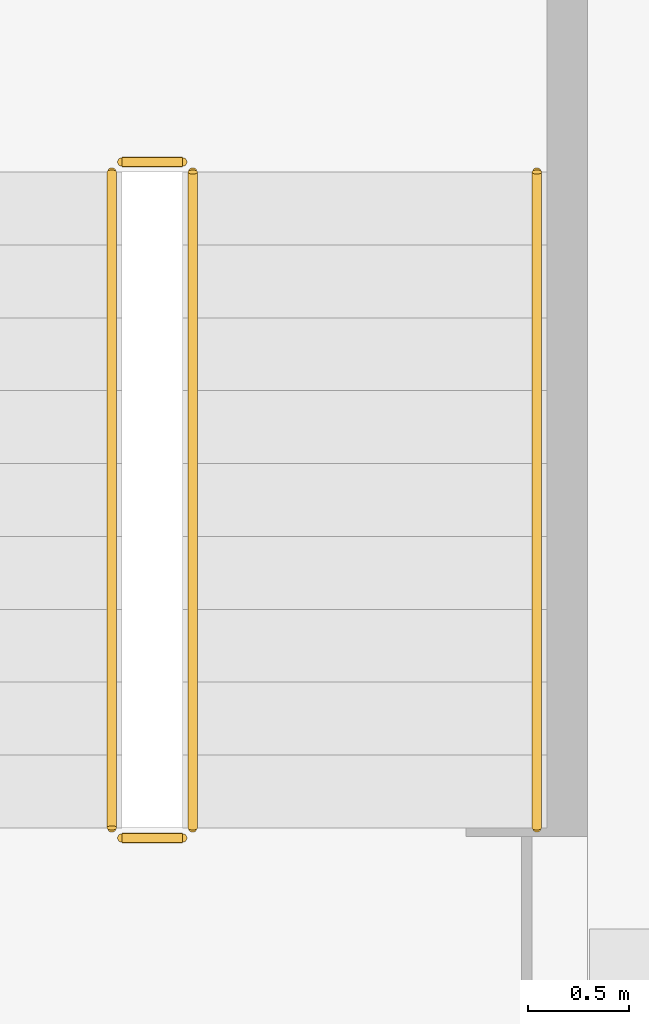
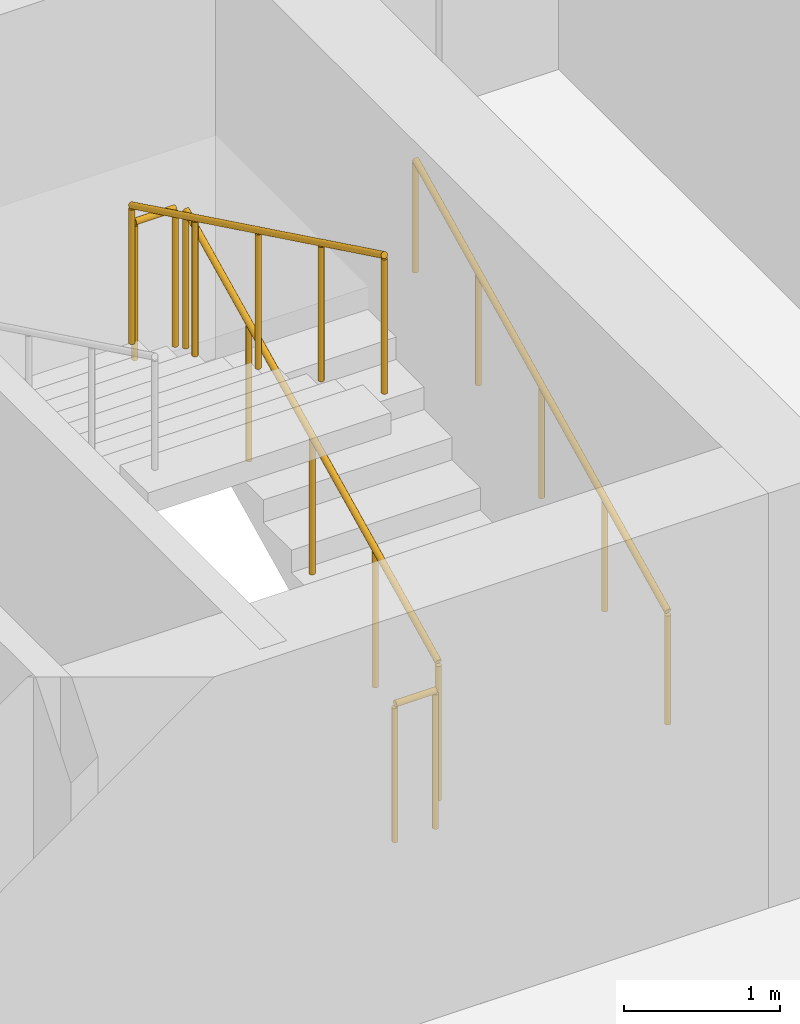
# One storey, part 24 of 28: 5 railings.
"""IFC4 building model written with IfcOpenShell, lengths in metres."""

from ifc_helpers import new_model, si_unit, direction, frame, origin, origin_2d, place, context, subcontext, project, spatial, circle, extrude, material, type_object, element, save


model = new_model("IFC4")

# Units and contexts
model_context = context("Model", 3, precision=1e-05, world=origin(), true_north=direction((0.0, 1.0)))
body_context = subcontext(model_context, "Body", "Model", "MODEL_VIEW")
ifc_project = project(units=[si_unit("LENGTHUNIT", "METRE"), si_unit("AREAUNIT", "SQUARE_METRE"), si_unit("VOLUMEUNIT", "CUBIC_METRE"), si_unit("PLANEANGLEUNIT", "RADIAN"), si_unit("MASSUNIT", "GRAM", prefix="KILO")], contexts=[model_context])

# Site, building, storey
site_placement = place(None, origin())
site = spatial("IfcSite", under=ifc_project, at=site_placement, CompositionType="ELEMENT")
building_placement = place(site_placement, origin())
building = spatial("IfcBuilding", under=site, at=building_placement, Name="Cobrizo Arcos Hotel Tower", CompositionType="ELEMENT")
storey_placement = place(building_placement, frame((0.0, 0.0, 39.0)))
storey = spatial("IfcBuildingStorey", under=building, at=storey_placement, Name="L07", CompositionType="ELEMENT", Elevation=39.0)

# Railings
ifc_material = material(Name="Stainless steel railing", Category="steel")
railing_type_1 = type_object("IfcRailingType", Name="Stair guard 1100", PredefinedType="GUARDRAIL", material=ifc_material)
railing_1_placement = place(storey_placement, frame((-17.75, -8.89990234375, 0.175048828125)))
element("IfcRailing", 1, at=railing_1_placement, inside=storey, type_object=railing_type_1, Name="L07 ST-W stair guard 1", PredefinedType="GUARDRAIL", context=body_context, shape_type="SweptSolid", body=[
    extrude(circle(Radius=0.02392578125, at=origin_2d()), frame((0.0, 0.0, 1.076171875), z_axis=(0.0, 0.899372665325, 0.437182809435), x_axis=(-1.0, 0.0, 0.0)), (0.0, 0.0, 1.0), 3.6025390625),
    extrude(circle(Radius=0.02099609375, at=origin_2d()), origin(), (0.0, 0.0, 1.0), 1.052001953125),
    extrude(circle(Radius=0.02099609375, at=origin_2d()), frame((0.0, 0.81005859375, 0.393798828125)), (0.0, 0.0, 1.0), 1.052001953125),
    extrude(circle(Radius=0.02099609375, at=origin_2d()), frame((0.0, 1.6201171875, 0.78759765625)), (0.0, 0.0, 1.0), 1.052001953125),
    extrude(circle(Radius=0.02099609375, at=origin_2d()), frame((0.0, 2.429931640625, 1.18115234375)), (0.0, 0.0, 1.0), 1.052001953125),
    extrude(circle(Radius=0.02099609375, at=origin_2d()), frame((0.0, 3.239990234375, 1.574951171875)), (0.0, 0.0, 1.0), 1.052001953125),
])
railing_2_placement = place(storey_placement, frame((-17.800048828125, -5.610107421875, 1.75)))
element("IfcRailing", 2, at=railing_2_placement, inside=storey, type_object=railing_type_1, Name="L07 ST-W stair guard 2", PredefinedType="GUARDRAIL", context=body_context, shape_type="SweptSolid", body=[
    extrude(circle(Radius=0.02392578125, at=origin_2d()), frame((0.0, 0.0, 1.076171875), z_axis=(-1.0, 0.0, 0.0), x_axis=(0.0, -1.0, 0.0)), (0.0, 0.0, 1.0), 0.300048828125),
    extrude(circle(Radius=0.02099609375, at=origin_2d()), origin(), (0.0, 0.0, 1.0), 1.052001953125),
    extrude(circle(Radius=0.02099609375, at=origin_2d()), frame((-0.300048828125, 0.0, 0.0)), (0.0, 0.0, 1.0), 1.052001953125),
])
railing_3_placement = place(storey_placement, frame((-18.14990234375, -5.659912109375, 1.925048828125)))
element("IfcRailing", 3, at=railing_3_placement, inside=storey, type_object=railing_type_1, Name="L07 ST-W stair guard 3", PredefinedType="GUARDRAIL", context=body_context, shape_type="SweptSolid", body=[
    extrude(circle(Radius=0.02392578125, at=origin_2d()), frame((0.0, 0.0, 1.076171875), z_axis=(0.0, -0.899372665325, 0.437182809435), x_axis=(1.0, 0.0, 0.0)), (0.0, 0.0, 1.0), 3.6025390625),
    extrude(circle(Radius=0.02099609375, at=origin_2d()), origin(), (0.0, 0.0, 1.0), 1.052001953125),
    extrude(circle(Radius=0.02099609375, at=origin_2d()), frame((0.0, -0.81005859375, 0.393798828125)), (0.0, 0.0, 1.0), 1.052001953125),
    extrude(circle(Radius=0.02099609375, at=origin_2d()), frame((0.0, -1.6201171875, 0.78759765625)), (0.0, 0.0, 1.0), 1.052001953125),
    extrude(circle(Radius=0.02099609375, at=origin_2d()), frame((0.0, -2.429931640625, 1.18115234375)), (0.0, 0.0, 1.0), 1.052001953125),
    extrude(circle(Radius=0.02099609375, at=origin_2d()), frame((0.0, -3.239990234375, 1.574951171875)), (0.0, 0.0, 1.0), 1.052001953125),
])
railing_4_placement = place(storey_placement, frame((-17.800048828125, -8.949951171875, 0.0)))
element("IfcRailing", 4, at=railing_4_placement, inside=storey, type_object=railing_type_1, Name="L07 ST-W stair guard 4", PredefinedType="GUARDRAIL", context=body_context, shape_type="SweptSolid", body=[
    extrude(circle(Radius=0.02392578125, at=origin_2d()), frame((0.0, 0.0, 1.076171875), z_axis=(-1.0, 0.0, 0.0), x_axis=(0.0, -1.0, 0.0)), (0.0, 0.0, 1.0), 0.300048828125),
    extrude(circle(Radius=0.02099609375, at=origin_2d()), origin(), (0.0, 0.0, 1.0), 1.052001953125),
    extrude(circle(Radius=0.02099609375, at=origin_2d()), frame((-0.300048828125, 0.0, 0.0)), (0.0, 0.0, 1.0), 1.052001953125),
])
railing_type_2 = type_object("IfcRailingType", Name="Stair handrail", PredefinedType="HANDRAIL", material=ifc_material)
railing_5_placement = place(storey_placement, frame((-16.050048828125, -8.89990234375, 0.175048828125)))
element("IfcRailing", 5, at=railing_5_placement, inside=storey, type_object=railing_type_2, Name="L07 ST-W stair handrail 1", PredefinedType="HANDRAIL", context=body_context, shape_type="SweptSolid", body=[
    extrude(circle(Radius=0.02392578125, at=origin_2d()), frame((0.0, 0.0, 0.8759765625), z_axis=(0.0, 0.899372665325, 0.437182809435), x_axis=(-1.0, 0.0, 0.0)), (0.0, 0.0, 1.0), 3.6025390625),
    extrude(circle(Radius=0.02099609375, at=origin_2d()), origin(), (0.0, 0.0, 1.0), 0.851806640625),
    extrude(circle(Radius=0.02099609375, at=origin_2d()), frame((0.0, 0.81005859375, 0.393798828125)), (0.0, 0.0, 1.0), 0.851806640625),
    extrude(circle(Radius=0.02099609375, at=origin_2d()), frame((0.0, 1.6201171875, 0.78759765625)), (0.0, 0.0, 1.0), 0.851806640625),
    extrude(circle(Radius=0.02099609375, at=origin_2d()), frame((0.0, 2.429931640625, 1.18115234375)), (0.0, 0.0, 1.0), 0.851806640625),
    extrude(circle(Radius=0.02099609375, at=origin_2d()), frame((0.0, 3.239990234375, 1.574951171875)), (0.0, 0.0, 1.0), 0.851806640625),
])

save(model, "model.ifc")
